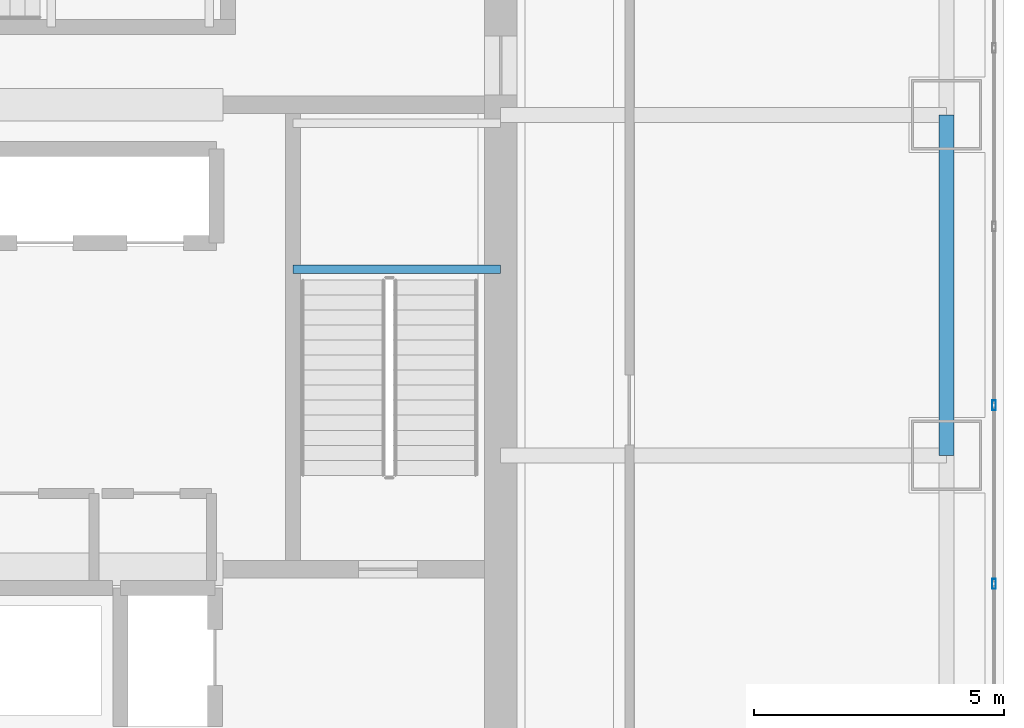
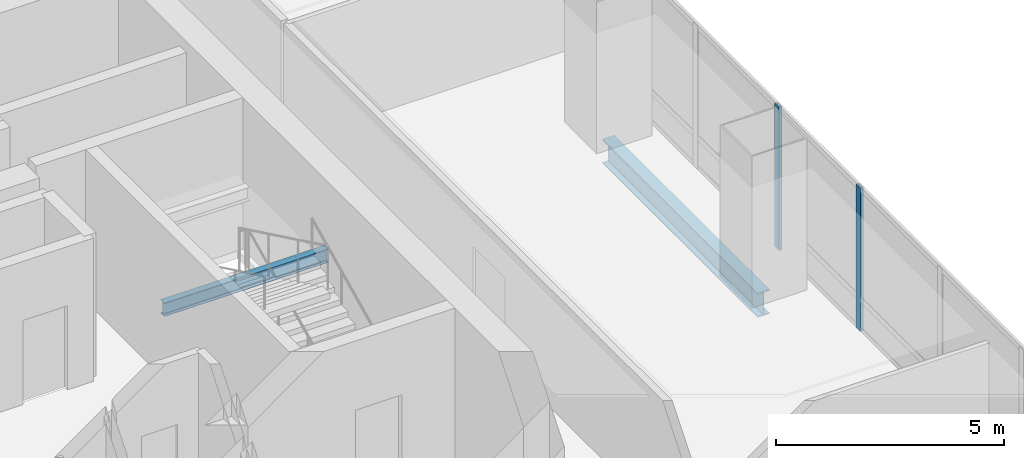
# One storey, part 15 of 36: 2 beams, 2 members, 1 element without a shape of its own.
"""IFC4 building model written with IfcOpenShell, lengths in metres."""

from ifc_helpers import new_model, si_unit, direction, frame, origin, origin_2d, place, context, subcontext, project, spatial, hollow_rectangle, i_section, extrude, material, material_profile, profile_set, type_object, element, aggregate, save


model = new_model("IFC4")

# Units and contexts
model_context = context("Model", 3, precision=1e-05, world=origin(), true_north=direction((0.0, 1.0)))
body_context = subcontext(model_context, "Body", "Model", "MODEL_VIEW")
ifc_project = project(units=[si_unit("LENGTHUNIT", "METRE"), si_unit("AREAUNIT", "SQUARE_METRE"), si_unit("VOLUMEUNIT", "CUBIC_METRE"), si_unit("PLANEANGLEUNIT", "RADIAN"), si_unit("MASSUNIT", "GRAM", prefix="KILO")], contexts=[model_context])

# Site, building, storey
site_placement = place(None, origin())
site = spatial("IfcSite", under=ifc_project, at=site_placement, CompositionType="ELEMENT")
building_placement = place(site_placement, origin())
building = spatial("IfcBuilding", under=site, at=building_placement, Name="Punatoya Terracotta Tower", CompositionType="ELEMENT")
storey_placement = place(building_placement, frame((0.0, 0.0, 176.25)))
storey = spatial("IfcBuildingStorey", under=building, at=storey_placement, Name="L41", CompositionType="ELEMENT", Elevation=176.25)

# Beams
ifc_material_1 = material(Name="Steel S355", Category="steel")
ifc_material_profile_1 = material_profile(ifc_material_1, i_section(OverallWidth=0.300048828125, OverallDepth=0.64990234375, WebThickness=0.01611328125, FlangeThickness=0.031005859375, FilletRadius=0.01806640625, at=origin_2d()))
ifc_profile_set_1 = profile_set([ifc_material_profile_1], Name="Steel S355")
beam_type_1 = type_object("IfcBeamType", Name="BM-PRI-650", PredefinedType="BEAM", material=ifc_profile_set_1)
beam_1_placement = place(storey_placement, frame((19.10009765625, -3.39990234375, -0.544921875), z_axis=(0.0, 1.0, 0.0), x_axis=(-1.0, 0.0, 0.0)))
element("IfcBeam", 1, at=beam_1_placement, inside=storey, type_object=beam_type_1, Name="BM-L41-RG-E2", PredefinedType="BEAM", context=body_context, shape_type="SweptSolid", body=[
    extrude(i_section(OverallWidth=0.300048828125, OverallDepth=0.64990234375, WebThickness=0.01611328125, FlangeThickness=0.031005859375, FilletRadius=0.01806640625, at=origin_2d()), origin(), (0.0, 0.0, 1.0), 6.7998046875),
])
ifc_material_profile_2 = material_profile(ifc_material_1, i_section(OverallWidth=0.169921875, OverallDepth=0.360107421875, WebThickness=0.008056640625, FlangeThickness=0.0126953125, FilletRadius=0.01806640625, at=origin_2d()))
ifc_profile_set_2 = profile_set([ifc_material_profile_2], Name="Steel S355")
beam_type_2 = type_object("IfcBeamType", Name="BM-SEC-360", PredefinedType="JOIST", material=ifc_profile_set_2)
beam_2_placement = place(storey_placement, frame((6.050048828125, 0.320068359375, 1.64501953125), z_axis=(1.0, 0.0, 0.0), x_axis=(0.0, 1.0, 0.0)))
element("IfcBeam", 2, at=beam_2_placement, inside=storey, type_object=beam_type_2, Name="BM-L41-ST-2-LD1A", PredefinedType="JOIST", context=body_context, shape_type="SweptSolid", body=[
    extrude(i_section(OverallWidth=0.169921875, OverallDepth=0.360107421875, WebThickness=0.008056640625, FlangeThickness=0.0126953125, FilletRadius=0.01806640625, at=origin_2d()), origin(), (0.0, 0.0, 1.0), 4.14990234375),
])

# Curtain wall, members
ifc_material_2 = material(Name="Aluminium 6063-T6 + Double Low-E Glass", Category="aluminium")
curtain_wall_type = type_object("IfcCurtainWallType", Name="CW-M2", PredefinedType="NOTDEFINED", material=ifc_material_2)
curtain_wall_placement = place(storey_placement, origin())
curtain_wall = element("IfcCurtainWall", 3, at=curtain_wall_placement, inside=storey, type_object=curtain_wall_type, Name="L41 Curtain Wall CW-L41-E05-1", PredefinedType="NOTDEFINED")
ifc_material_3 = material(Name="Aluminium 6063-T6", Category="aluminium")
ifc_material_profile_3 = material_profile(ifc_material_3, hollow_rectangle(XDim=0.072021484375, YDim=0.195068359375, WallThickness=0.00439453125, at=origin_2d()))
ifc_profile_set_3 = profile_set([ifc_material_profile_3], Name="Aluminium 6063-T6")
member_type = type_object("IfcMemberType", Name="CW-MUL-M2", PredefinedType="MULLION", material=ifc_profile_set_3)
member_1_placement = place(storey_placement, frame((20.050048828125, -5.96728515625, 0.0), z_axis=(0.0, 0.0, 1.0), x_axis=(1.0, 0.0, 0.0)))
member_1 = element("IfcMember", 4, at=member_1_placement, type_object=member_type, Name="CW-L41-E05-1 Mullion 04", PredefinedType="MULLION", context=body_context, shape_type="SweptSolid", body=[
    extrude(hollow_rectangle(XDim=0.072021484375, YDim=0.195068359375, WallThickness=0.00439453125, at=origin_2d()), origin(), (0.0, 0.0, 1.0), 3.830078125),
])
member_2_placement = place(storey_placement, frame((20.050048828125, -2.39990234375, 0.0), z_axis=(0.0, 0.0, 1.0), x_axis=(1.0, 0.0, 0.0)))
member_2 = element("IfcMember", 5, at=member_2_placement, type_object=member_type, Name="CW-L41-E05-1 Mullion 05", PredefinedType="MULLION", context=body_context, shape_type="SweptSolid", body=[
    extrude(hollow_rectangle(XDim=0.072021484375, YDim=0.195068359375, WallThickness=0.00439453125, at=origin_2d()), origin(), (0.0, 0.0, 1.0), 3.830078125),
])
aggregate(curtain_wall, [member_1, member_2])

save(model, "model.ifc")
